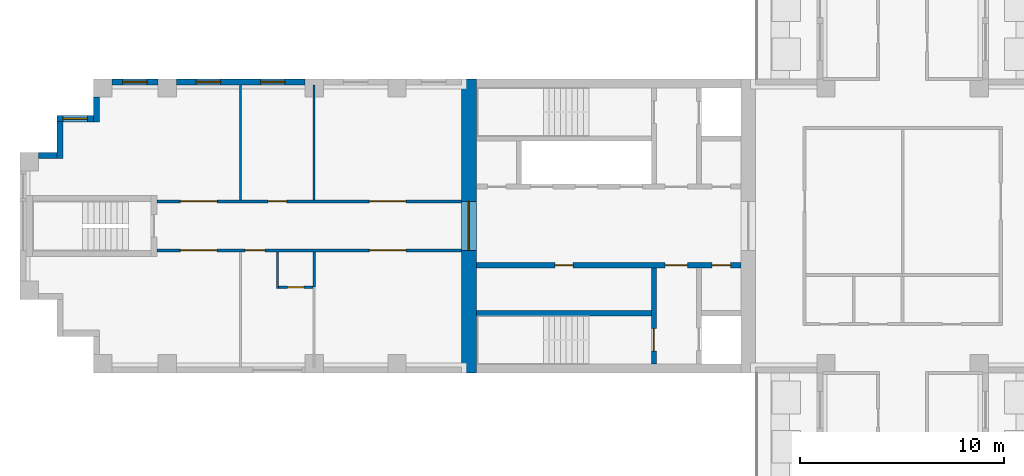
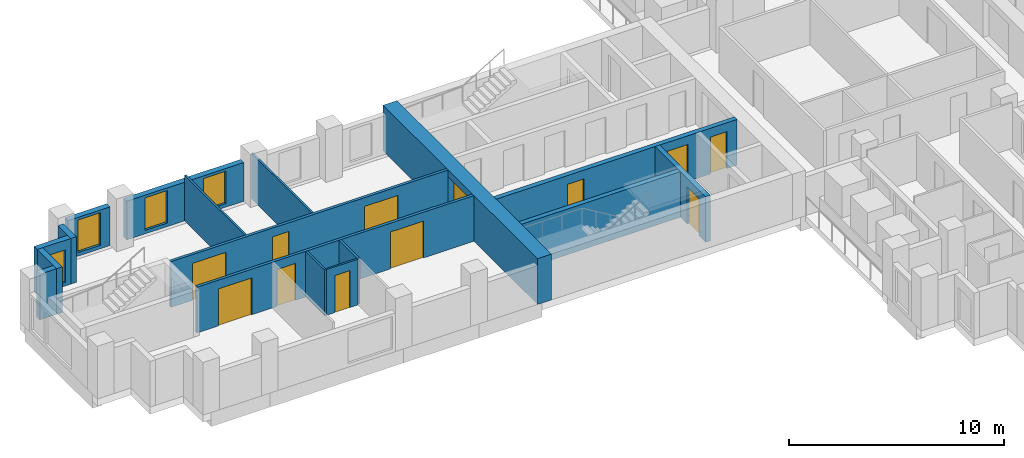
# One storey, part 3 of 12: 17 walls, 12 doors, 4 windows, 16 openings.
"""IFC4 building model written with IfcOpenShell, lengths in metres."""

from ifc_helpers import new_model, si_unit, direction, frame, frame_2d, origin, place, context, subcontext, project, spatial, rectangle, extrude, material, layer, layer_set, type_object, element, fill, save


model = new_model("IFC4")

# Units and contexts
model_context = context("Model", 3, precision=1e-05, world=origin(), true_north=direction((0.0, 1.0)))
body_context = subcontext(model_context, "Body", "Model", "MODEL_VIEW")
ifc_project = project(units=[si_unit("LENGTHUNIT", "METRE"), si_unit("AREAUNIT", "SQUARE_METRE"), si_unit("VOLUMEUNIT", "CUBIC_METRE"), si_unit("PLANEANGLEUNIT", "RADIAN"), si_unit("MASSUNIT", "GRAM", prefix="KILO")], contexts=[model_context])

# Site, building, storey
site_placement = place(None, origin())
site = spatial("IfcSite", under=ifc_project, at=site_placement, CompositionType="ELEMENT")
building_placement = place(site_placement, origin())
building = spatial("IfcBuilding", under=site, at=building_placement, Name="Fustian Cross Tower", CompositionType="ELEMENT")
storey_placement = place(building_placement, frame((0.0, 0.0, 156.300048828125)))
storey = spatial("IfcBuildingStorey", under=building, at=storey_placement, Name="L49", CompositionType="ELEMENT", Elevation=156.300048828125)

# Wall, openings, doors
ifc_material_1 = material(Name="Plasterboard on steel stud", Category="steel")
ifc_layer_1 = layer(ifc_material_1, 0.14990234375)
ifc_layer_set_1 = layer_set([ifc_layer_1], Name="Plasterboard on steel stud")
wall_type_1 = type_object("IfcWallType", Name="COMPARTMENT WALL 150 EI 60", PredefinedType="PARTITIONING", material=ifc_layer_set_1)
wall_1_placement = place(storey_placement, frame((-36.5, -1.199951171875, 0.0), z_axis=(0.0, 0.0, 1.0), x_axis=(1.0, 0.0, 0.0)))
wall_1 = element("IfcWall", 1, at=wall_1_placement, inside=storey, type_object=wall_type_1, Name="Partition 1", PredefinedType="PARTITIONING", context=body_context, shape_type="SweptSolid", body=[
    extrude(rectangle(XDim=14.89990234375, YDim=0.14990234375, at=frame_2d((7.449951171875, 0.0))), origin(), (0.0, 0.0, 1.0), 2.599853515625),
])
opening_1_placement = place(wall_1_placement, frame((10.39990234375, 0.0, 0.0)))
opening_1 = element("IfcOpeningElement", 2, at=opening_1_placement, cuts=wall_1, Name="Opening D22026", PredefinedType="OPENING", context=body_context, shape_type="SweptSolid", body=[
    extrude(rectangle(XDim=1.800048828125, YDim=2.10009765625, at=frame_2d((0.89990234375, 1.050048828125))), frame((0.0, 0.0849609375, 0.0), z_axis=(0.0, -1.0, 0.0), x_axis=(1.0, 0.0, 0.0)), (0.0, 0.0, 1.0), 0.169921875),
])
opening_2_placement = place(wall_1_placement, frame((4.300048828125, 0.0, 0.0)))
opening_2 = element("IfcOpeningElement", 3, at=opening_2_placement, cuts=wall_1, Name="Opening D22028", PredefinedType="OPENING", context=body_context, shape_type="SweptSolid", body=[
    extrude(rectangle(XDim=1.0, YDim=2.10009765625, at=frame_2d((0.5, 1.050048828125))), frame((0.0, 0.0849609375, 0.0), z_axis=(0.0, -1.0, 0.0), x_axis=(1.0, 0.0, 0.0)), (0.0, 0.0, 1.0), 0.169921875),
])
opening_3_placement = place(wall_1_placement, frame((1.14990234375, 0.0, 0.0)))
opening_3 = element("IfcOpeningElement", 4, at=opening_3_placement, cuts=wall_1, Name="Opening D22029", PredefinedType="OPENING", context=body_context, shape_type="SweptSolid", body=[
    extrude(rectangle(XDim=1.800048828125, YDim=2.10009765625, at=frame_2d((0.89990234375, 1.050048828125))), frame((0.0, 0.0849609375, 0.0), z_axis=(0.0, -1.0, 0.0), x_axis=(1.0, 0.0, 0.0)), (0.0, 0.0, 1.0), 0.169921875),
])
ifc_material_2 = material(Name="Timber fire door set", Category="wood")
door_type_1 = type_object("IfcDoorType", Name="FIRE DOUBLE DOOR 1800 FD30S", OperationType="DOUBLE_DOOR_DOUBLE_SWING", PredefinedType="DOOR", material=ifc_material_2)
door_1_placement = place(opening_1_placement, origin())
door_1 = element("IfcDoor", 5, at=door_1_placement, inside=storey, type_object=door_type_1, Name="Door D22026", OperationType="DOUBLE_DOOR_DOUBLE_SWING", OverallHeight=2.10009765625, OverallWidth=1.800048828125, PredefinedType="DOOR", context=body_context, shape_type="SweptSolid", body=[
    extrude(rectangle(XDim=1.800048828125, YDim=2.10009765625, at=frame_2d((0.89990234375, 1.050048828125))), frame((0.0, 0.02490234375, 0.0), z_axis=(0.0, -1.0, 0.0), x_axis=(1.0, 0.0, 0.0)), (0.0, 0.0, 1.0), 0.050048828125),
])
fill(opening_1, door_1)
door_2_placement = place(opening_3_placement, origin())
door_2 = element("IfcDoor", 6, at=door_2_placement, inside=storey, type_object=door_type_1, Name="Door D22029", OperationType="DOUBLE_DOOR_DOUBLE_SWING", OverallHeight=2.10009765625, OverallWidth=1.800048828125, PredefinedType="DOOR", context=body_context, shape_type="SweptSolid", body=[
    extrude(rectangle(XDim=1.800048828125, YDim=2.10009765625, at=frame_2d((0.89990234375, 1.050048828125))), frame((0.0, 0.02490234375, 0.0), z_axis=(0.0, -1.0, 0.0), x_axis=(1.0, 0.0, 0.0)), (0.0, 0.0, 1.0), 0.050048828125),
])
fill(opening_3, door_2)
ifc_material_3 = material(Name="Timber fire door set", Category="wood")
door_type_2 = type_object("IfcDoorType", Name="FIRE SWING DOOR 1000 FD30S", OperationType="SINGLE_SWING_LEFT", PredefinedType="DOOR", material=ifc_material_3)
door_3_placement = place(opening_2_placement, frame((1.0, 0.0, 0.0), z_axis=(0.0, 0.0, 1.0), x_axis=(-1.0, 0.0, 0.0)))
door_3 = element("IfcDoor", 7, at=door_3_placement, inside=storey, type_object=door_type_2, Name="Door D22028", OperationType="SINGLE_SWING_RIGHT", OverallHeight=2.10009765625, OverallWidth=1.0, PredefinedType="DOOR", context=body_context, shape_type="SweptSolid", body=[
    extrude(rectangle(XDim=1.0, YDim=2.10009765625, at=frame_2d((0.5, 1.050048828125))), frame((0.0, 0.02490234375, 0.0), z_axis=(0.0, -1.0, 0.0), x_axis=(1.0, 0.0, 0.0)), (0.0, 0.0, 1.0), 0.050048828125),
])
fill(opening_2, door_3)

wall_2_placement = place(storey_placement, frame((-36.5, 1.199951171875, 0.0), z_axis=(0.0, 0.0, 1.0), x_axis=(1.0, 0.0, 0.0)))
wall_2 = element("IfcWall", 8, at=wall_2_placement, inside=storey, type_object=wall_type_1, Name="Partition 2", PredefinedType="PARTITIONING", context=body_context, shape_type="SweptSolid", body=[
    extrude(rectangle(XDim=14.89990234375, YDim=0.14990234375, at=frame_2d((7.449951171875, 0.0))), origin(), (0.0, 0.0, 1.0), 2.599853515625),
])
opening_4_placement = place(wall_2_placement, frame((10.39990234375, 0.0, 0.0)))
opening_4 = element("IfcOpeningElement", 9, at=opening_4_placement, cuts=wall_2, Name="Opening D22030", PredefinedType="OPENING", context=body_context, shape_type="SweptSolid", body=[
    extrude(rectangle(XDim=1.800048828125, YDim=2.10009765625, at=frame_2d((0.89990234375, 1.050048828125))), frame((0.0, 0.0849609375, 0.0), z_axis=(0.0, -1.0, 0.0), x_axis=(1.0, 0.0, 0.0)), (0.0, 0.0, 1.0), 0.169921875),
])
opening_5_placement = place(wall_2_placement, frame((5.449951171875, 0.0, 0.0)))
opening_5 = element("IfcOpeningElement", 10, at=opening_5_placement, cuts=wall_2, Name="Opening D22031", PredefinedType="OPENING", context=body_context, shape_type="SweptSolid", body=[
    extrude(rectangle(XDim=0.89990234375, YDim=2.10009765625, at=frame_2d((0.449951171875, 1.050048828125))), frame((0.0, 0.0849609375, 0.0), z_axis=(0.0, -1.0, 0.0), x_axis=(1.0, 0.0, 0.0)), (0.0, 0.0, 1.0), 0.169921875),
])
opening_6_placement = place(wall_2_placement, frame((1.14990234375, 0.0, 0.0)))
opening_6 = element("IfcOpeningElement", 11, at=opening_6_placement, cuts=wall_2, Name="Opening D22032", PredefinedType="OPENING", context=body_context, shape_type="SweptSolid", body=[
    extrude(rectangle(XDim=1.800048828125, YDim=2.10009765625, at=frame_2d((0.89990234375, 1.050048828125))), frame((0.0, 0.0849609375, 0.0), z_axis=(0.0, -1.0, 0.0), x_axis=(1.0, 0.0, 0.0)), (0.0, 0.0, 1.0), 0.169921875),
])
door_4_placement = place(opening_4_placement, frame((1.800048828125, 0.0, 0.0), z_axis=(0.0, 0.0, 1.0), x_axis=(-1.0, 0.0, 0.0)))
door_4 = element("IfcDoor", 12, at=door_4_placement, inside=storey, type_object=door_type_1, Name="Door D22030", OperationType="DOUBLE_DOOR_DOUBLE_SWING", OverallHeight=2.10009765625, OverallWidth=1.800048828125, PredefinedType="DOOR", context=body_context, shape_type="SweptSolid", body=[
    extrude(rectangle(XDim=1.800048828125, YDim=2.10009765625, at=frame_2d((0.89990234375, 1.050048828125))), frame((0.0, 0.02490234375, 0.0), z_axis=(0.0, -1.0, 0.0), x_axis=(1.0, 0.0, 0.0)), (0.0, 0.0, 1.0), 0.050048828125),
])
fill(opening_4, door_4)
door_5_placement = place(opening_6_placement, frame((1.800048828125, 0.0, 0.0), z_axis=(0.0, 0.0, 1.0), x_axis=(-1.0, 0.0, 0.0)))
door_5 = element("IfcDoor", 13, at=door_5_placement, inside=storey, type_object=door_type_1, Name="Door D22032", OperationType="DOUBLE_DOOR_DOUBLE_SWING", OverallHeight=2.10009765625, OverallWidth=1.800048828125, PredefinedType="DOOR", context=body_context, shape_type="SweptSolid", body=[
    extrude(rectangle(XDim=1.800048828125, YDim=2.10009765625, at=frame_2d((0.89990234375, 1.050048828125))), frame((0.0, 0.02490234375, 0.0), z_axis=(0.0, -1.0, 0.0), x_axis=(1.0, 0.0, 0.0)), (0.0, 0.0, 1.0), 0.050048828125),
])
fill(opening_6, door_5)
ifc_material_4 = material(Name="Timber fire door set", Category="wood")
door_type_3 = type_object("IfcDoorType", Name="FIRE SWING DOOR 900 FD30S", OperationType="SINGLE_SWING_LEFT", PredefinedType="DOOR", material=ifc_material_4)
door_6_placement = place(opening_5_placement, origin())
door_6 = element("IfcDoor", 14, at=door_6_placement, inside=storey, type_object=door_type_3, Name="Door D22031", OperationType="SINGLE_SWING_LEFT", OverallHeight=2.10009765625, OverallWidth=0.89990234375, PredefinedType="DOOR", context=body_context, shape_type="SweptSolid", body=[
    extrude(rectangle(XDim=0.89990234375, YDim=2.10009765625, at=frame_2d((0.449951171875, 1.050048828125))), frame((0.0, 0.02490234375, 0.0), z_axis=(0.0, -1.0, 0.0), x_axis=(1.0, 0.0, 0.0)), (0.0, 0.0, 1.0), 0.050048828125),
])
fill(opening_5, door_6)

# Wall, opening, door
ifc_material_5 = material(Name="Concrete C60/75", Category="concrete")
ifc_layer_2 = layer(ifc_material_5, 0.75)
ifc_layer_set_2 = layer_set([ifc_layer_2], Name="Concrete C60/75")
wall_type_2 = type_object("IfcWallType", Name="CORE END WALL 750 C60/75", PredefinedType="SHEAR", material=ifc_layer_set_2)
wall_3_placement = place(storey_placement, frame((-21.22509765625, -7.199951171875, 0.0), z_axis=(0.0, 0.0, 1.0), x_axis=(0.0, 1.0, 0.0)))
wall_3 = element("IfcWall", 15, at=wall_3_placement, inside=storey, type_object=wall_type_2, Name="Core end wall", PredefinedType="SHEAR", context=body_context, shape_type="SweptSolid", body=[
    extrude(rectangle(XDim=14.39990234375, YDim=0.75, at=frame_2d((7.199951171875, 0.0))), origin(), (0.0, 0.0, 1.0), 2.599853515625),
])
opening_7_placement = place(wall_3_placement, frame((6.0, 0.0, 0.0)))
opening_7 = element("IfcOpeningElement", 16, at=opening_7_placement, cuts=wall_3, Name="Opening CD-17-28", PredefinedType="OPENING", context=body_context, shape_type="SweptSolid", body=[
    extrude(rectangle(XDim=2.39990234375, YDim=2.199951171875, at=frame_2d((1.199951171875, 1.10009765625))), frame((0.0, 0.385009765625, 0.0), z_axis=(0.0, -1.0, 0.0), x_axis=(1.0, 0.0, 0.0)), (0.0, 0.0, 1.0), 0.77001953125),
])
ifc_material_6 = material(Name="Steel", Category="steel")
door_type_4 = type_object("IfcDoorType", Name="FIRE DOOR FD30S DOUBLE 2400X2200", OperationType="DOUBLE_DOOR_DOUBLE_SWING", PredefinedType="DOOR", material=ifc_material_6)
door_7_placement = place(opening_7_placement, frame((2.39990234375, 0.0, 0.0), z_axis=(0.0, 0.0, 1.0), x_axis=(-1.0, 0.0, 0.0)))
door_7 = element("IfcDoor", 17, at=door_7_placement, inside=storey, type_object=door_type_4, Name="Core door CD-17-28", OperationType="DOUBLE_DOOR_DOUBLE_SWING", OverallHeight=2.199951171875, OverallWidth=2.39990234375, PredefinedType="DOOR", context=body_context, shape_type="SweptSolid", body=[
    extrude(rectangle(XDim=2.39990234375, YDim=2.199951171875, at=frame_2d((1.199951171875, 1.10009765625))), frame((0.0, 0.02490234375, 0.0), z_axis=(0.0, -1.0, 0.0), x_axis=(1.0, 0.0, 0.0)), (0.0, 0.0, 1.0), 0.050048828125),
])
fill(opening_7, door_7)

# Wall, openings, doors
ifc_material_7 = material(Name="Concrete C50/60", Category="concrete")
ifc_layer_3 = layer(ifc_material_7, 0.25)
ifc_layer_set_3 = layer_set([ifc_layer_3], Name="Concrete C50/60")
wall_type_3 = type_object("IfcWallType", Name="CORE LOBBY WALL 250 C50/60", PredefinedType="SHEAR", material=ifc_layer_set_3)
wall_4_placement = place(storey_placement, frame((-7.89990234375, -1.925048828125, 0.0), z_axis=(0.0, 0.0, 1.0), x_axis=(-1.0, 0.0, 0.0)))
wall_4 = element("IfcWall", 18, at=wall_4_placement, inside=storey, type_object=wall_type_3, Name="Core lobby wall", PredefinedType="SHEAR", context=body_context, shape_type="SweptSolid", body=[
    extrude(rectangle(XDim=12.9501953125, YDim=0.25, at=frame_2d((6.47509765625, 0.0))), origin(), (0.0, 0.0, 1.0), 2.599853515625),
])
opening_8_placement = place(wall_4_placement, frame((0.52490234375, 0.0, 0.0)))
opening_8 = element("IfcOpeningElement", 19, at=opening_8_placement, cuts=wall_4, Name="Opening CD-17-24", PredefinedType="OPENING", context=body_context, shape_type="SweptSolid", body=[
    extrude(rectangle(XDim=0.89990234375, YDim=2.10009765625, at=frame_2d((0.449951171875, 1.050048828125))), frame((0.0, 0.135009765625, 0.0), z_axis=(0.0, -1.0, 0.0), x_axis=(1.0, 0.0, 0.0)), (0.0, 0.0, 1.0), 0.27001953125),
])
opening_9_placement = place(wall_4_placement, frame((2.625, 0.0, 0.0)))
opening_9 = element("IfcOpeningElement", 20, at=opening_9_placement, cuts=wall_4, Name="Opening CD-17-26", PredefinedType="OPENING", context=body_context, shape_type="SweptSolid", body=[
    extrude(rectangle(XDim=1.10009765625, YDim=2.10009765625, at=frame_2d((0.550048828125, 1.050048828125))), frame((0.0, 0.135009765625, 0.0), z_axis=(0.0, -1.0, 0.0), x_axis=(1.0, 0.0, 0.0)), (0.0, 0.0, 1.0), 0.27001953125),
])
opening_10_placement = place(wall_4_placement, frame((8.22509765625, 0.0, 0.0)))
opening_10 = element("IfcOpeningElement", 21, at=opening_10_placement, cuts=wall_4, Name="Opening CD-17-30", PredefinedType="OPENING", context=body_context, shape_type="SweptSolid", body=[
    extrude(rectangle(XDim=0.89990234375, YDim=2.10009765625, at=frame_2d((0.449951171875, 1.050048828125))), frame((0.0, 0.135009765625, 0.0), z_axis=(0.0, -1.0, 0.0), x_axis=(1.0, 0.0, 0.0)), (0.0, 0.0, 1.0), 0.27001953125),
])
ifc_material_8 = material(Name="Steel", Category="steel")
door_type_5 = type_object("IfcDoorType", Name="FIRE DOOR FD30S 1100X2100", OperationType="SINGLE_SWING_LEFT", PredefinedType="DOOR", material=ifc_material_8)
door_8_placement = place(opening_9_placement, frame((1.10009765625, 0.0, 0.0), z_axis=(0.0, 0.0, 1.0), x_axis=(-1.0, 0.0, 0.0)))
door_8 = element("IfcDoor", 22, at=door_8_placement, inside=storey, type_object=door_type_5, Name="Core door CD-17-26", OperationType="SINGLE_SWING_RIGHT", OverallHeight=2.10009765625, OverallWidth=1.10009765625, PredefinedType="DOOR", context=body_context, shape_type="SweptSolid", body=[
    extrude(rectangle(XDim=1.10009765625, YDim=2.10009765625, at=frame_2d((0.550048828125, 1.050048828125))), frame((0.0, 0.02490234375, 0.0), z_axis=(0.0, -1.0, 0.0), x_axis=(1.0, 0.0, 0.0)), (0.0, 0.0, 1.0), 0.050048828125),
])
fill(opening_9, door_8)
ifc_material_9 = material(Name="Steel", Category="steel")
door_type_6 = type_object("IfcDoorType", Name="FIRE DOOR FD30S 900X2100", OperationType="SINGLE_SWING_LEFT", PredefinedType="DOOR", material=ifc_material_9)
door_9_placement = place(opening_8_placement, origin())
door_9 = element("IfcDoor", 23, at=door_9_placement, inside=storey, type_object=door_type_6, Name="Core door CD-17-24", OperationType="SINGLE_SWING_LEFT", OverallHeight=2.10009765625, OverallWidth=0.89990234375, PredefinedType="DOOR", context=body_context, shape_type="SweptSolid", body=[
    extrude(rectangle(XDim=0.89990234375, YDim=2.10009765625, at=frame_2d((0.449951171875, 1.050048828125))), frame((0.0, 0.02490234375, 0.0), z_axis=(0.0, -1.0, 0.0), x_axis=(1.0, 0.0, 0.0)), (0.0, 0.0, 1.0), 0.050048828125),
])
fill(opening_8, door_9)
door_10_placement = place(opening_10_placement, origin())
door_10 = element("IfcDoor", 24, at=door_10_placement, inside=storey, type_object=door_type_6, Name="Core door CD-17-30", OperationType="SINGLE_SWING_RIGHT", OverallHeight=2.10009765625, OverallWidth=0.89990234375, PredefinedType="DOOR", context=body_context, shape_type="SweptSolid", body=[
    extrude(rectangle(XDim=0.89990234375, YDim=2.10009765625, at=frame_2d((0.449951171875, 1.050048828125))), frame((0.0, 0.02490234375, 0.0), z_axis=(0.0, -1.0, 0.0), x_axis=(1.0, 0.0, 0.0)), (0.0, 0.0, 1.0), 0.050048828125),
])
fill(opening_10, door_10)

# Wall
ifc_material_10 = material(Name="Concrete C50/60", Category="concrete")
ifc_layer_4 = layer(ifc_material_10, 0.25)
ifc_layer_set_4 = layer_set([ifc_layer_4], Name="Concrete C50/60")
wall_type_4 = type_object("IfcWallType", Name="CORE SHAFT WALL 250 C50/60", PredefinedType="SHEAR", material=ifc_layer_set_4)
wall_5_placement = place(storey_placement, frame((-12.300048828125, -4.27490234375, 0.0), z_axis=(0.0, 0.0, 1.0), x_axis=(-1.0, 0.0, 0.0)))
element("IfcWall", 25, at=wall_5_placement, inside=storey, type_object=wall_type_4, Name="Core shaft wall", PredefinedType="SHEAR", context=body_context, shape_type="SweptSolid", body=[
    extrude(rectangle(XDim=8.550048828125, YDim=0.25, at=frame_2d((4.27490234375, 0.0))), origin(), (0.0, 0.0, 1.0), 2.599853515625),
])

# Wall, opening, door
wall_6_placement = place(storey_placement, frame((-12.175048828125, -2.050048828125, 0.0), z_axis=(0.0, 0.0, 1.0), x_axis=(0.0, -1.0, 0.0)))
wall_6 = element("IfcWall", 26, at=wall_6_placement, inside=storey, type_object=wall_type_4, Name="Core shaft wall", PredefinedType="SHEAR", context=body_context, shape_type="SweptSolid", body=[
    extrude(rectangle(XDim=4.699951171875, YDim=0.25, at=frame_2d((2.35009765625, 0.0))), origin(), (0.0, 0.0, 1.0), 2.599853515625),
])
opening_11_placement = place(wall_6_placement, frame((2.97509765625, 0.0, 0.0)))
opening_11 = element("IfcOpeningElement", 27, at=opening_11_placement, cuts=wall_6, Name="Opening CD-17-22", PredefinedType="OPENING", context=body_context, shape_type="SweptSolid", body=[
    extrude(rectangle(XDim=1.10009765625, YDim=2.10009765625, at=frame_2d((0.550048828125, 1.050048828125))), frame((0.0, 0.135009765625, 0.0), z_axis=(0.0, -1.0, 0.0), x_axis=(1.0, 0.0, 0.0)), (0.0, 0.0, 1.0), 0.27001953125),
])
ifc_material_11 = material(Name="Steel", Category="steel")
door_type_7 = type_object("IfcDoorType", Name="FIRE DOOR FD60S 1100X2100", OperationType="SINGLE_SWING_LEFT", PredefinedType="DOOR", material=ifc_material_11)
door_11_placement = place(opening_11_placement, frame((1.10009765625, 0.0, 0.0), z_axis=(0.0, 0.0, 1.0), x_axis=(-1.0, 0.0, 0.0)))
door_11 = element("IfcDoor", 28, at=door_11_placement, inside=storey, type_object=door_type_7, Name="Core door CD-17-22", OperationType="SINGLE_SWING_RIGHT", OverallHeight=2.10009765625, OverallWidth=1.10009765625, PredefinedType="DOOR", context=body_context, shape_type="SweptSolid", body=[
    extrude(rectangle(XDim=1.10009765625, YDim=2.10009765625, at=frame_2d((0.550048828125, 1.050048828125))), frame((0.0, 0.02490234375, 0.0), z_axis=(0.0, -1.0, 0.0), x_axis=(1.0, 0.0, 0.0)), (0.0, 0.0, 1.0), 0.050048828125),
])
fill(opening_11, door_11)

# Walls
ifc_material_12 = material(Name="Plasterboard on steel stud", Category="steel")
ifc_layer_5 = layer(ifc_material_12, 0.10009765625)
ifc_layer_set_5 = layer_set([ifc_layer_5], Name="Plasterboard on steel stud")
wall_type_5 = type_object("IfcWallType", Name="PARTITION 100 STUD", PredefinedType="PARTITIONING", material=ifc_layer_set_5)
wall_7_placement = place(storey_placement, frame((-32.39990234375, 1.27490234375, 0.0), z_axis=(0.0, 0.0, 1.0), x_axis=(0.0, 1.0, 0.0)))
element("IfcWall", 29, at=wall_7_placement, inside=storey, type_object=wall_type_5, Name="Partition 4", PredefinedType="PARTITIONING", context=body_context, shape_type="SweptSolid", body=[
    extrude(rectangle(XDim=5.625, YDim=0.10009765625, at=frame_2d((2.8125, 0.0))), origin(), (0.0, 0.0, 1.0), 2.599853515625),
])
wall_8_placement = place(storey_placement, frame((-30.60009765625, -3.050048828125, 0.0), z_axis=(0.0, 0.0, 1.0), x_axis=(0.0, 1.0, 0.0)))
element("IfcWall", 30, at=wall_8_placement, inside=storey, type_object=wall_type_5, Name="Partition 5", PredefinedType="PARTITIONING", context=body_context, shape_type="SweptSolid", body=[
    extrude(rectangle(XDim=1.775146484375, YDim=0.10009765625, at=frame_2d((0.8876953125, 0.0))), origin(), (0.0, 0.0, 1.0), 2.599853515625),
])

# Wall, opening, door
wall_9_placement = place(storey_placement, frame((-30.550048828125, -3.0, 0.0), z_axis=(0.0, 0.0, 1.0), x_axis=(1.0, 0.0, 0.0)))
wall_9 = element("IfcWall", 31, at=wall_9_placement, inside=storey, type_object=wall_type_5, Name="Partition 6", PredefinedType="PARTITIONING", context=body_context, shape_type="SweptSolid", body=[
    extrude(rectangle(XDim=1.6875, YDim=0.10009765625, at=frame_2d((0.84375, 0.0))), origin(), (0.0, 0.0, 1.0), 2.599853515625),
])
opening_12_placement = place(wall_9_placement, frame((0.449951171875, 0.0, 0.0)))
opening_12 = element("IfcOpeningElement", 32, at=opening_12_placement, cuts=wall_9, Name="Opening D22027", PredefinedType="OPENING", context=body_context, shape_type="SweptSolid", body=[
    extrude(rectangle(XDim=0.800048828125, YDim=2.10009765625, at=frame_2d((0.39990234375, 1.050048828125))), frame((0.0, 0.06005859375, 0.0), z_axis=(0.0, -1.0, 0.0), x_axis=(1.0, 0.0, 0.0)), (0.0, 0.0, 1.0), 0.1201171875),
])
ifc_material_13 = material(Name="Painted timber", Category="wood")
door_type_8 = type_object("IfcDoorType", Name="SWING DOOR 800", OperationType="SINGLE_SWING_LEFT", PredefinedType="DOOR", material=ifc_material_13)
door_12_placement = place(opening_12_placement, origin())
door_12 = element("IfcDoor", 33, at=door_12_placement, inside=storey, type_object=door_type_8, Name="Door D22027", OperationType="SINGLE_SWING_RIGHT", OverallHeight=2.10009765625, OverallWidth=0.800048828125, PredefinedType="DOOR", context=body_context, shape_type="SweptSolid", body=[
    extrude(rectangle(XDim=0.800048828125, YDim=2.10009765625, at=frame_2d((0.39990234375, 1.050048828125))), frame((0.0, 0.02490234375, 0.0), z_axis=(0.0, -1.0, 0.0), x_axis=(1.0, 0.0, 0.0)), (0.0, 0.0, 1.0), 0.050048828125),
])
fill(opening_12, door_12)

# Walls
wall_10_placement = place(storey_placement, frame((-28.800048828125, 1.27490234375, 0.0), z_axis=(0.0, 0.0, 1.0), x_axis=(0.0, 1.0, 0.0)))
element("IfcWall", 34, at=wall_10_placement, inside=storey, type_object=wall_type_5, Name="Partition 9", PredefinedType="PARTITIONING", context=body_context, shape_type="SweptSolid", body=[
    extrude(rectangle(XDim=5.625, YDim=0.10009765625, at=frame_2d((2.8125, 0.0))), origin(), (0.0, 0.0, 1.0), 2.599853515625),
])
ifc_material_14 = material(Name="Plasterboard on steel stud", Category="steel")
ifc_layer_6 = layer(ifc_material_14, 0.125)
ifc_layer_set_6 = layer_set([ifc_layer_6], Name="Plasterboard on steel stud")
wall_type_6 = type_object("IfcWallType", Name="WET WALL 125 STUD", PredefinedType="PARTITIONING", material=ifc_layer_set_6)
wall_11_placement = place(storey_placement, frame((-28.800048828125, -3.0, 0.0), z_axis=(0.0, 0.0, 1.0), x_axis=(0.0, 1.0, 0.0)))
element("IfcWall", 35, at=wall_11_placement, inside=storey, type_object=wall_type_6, Name="Partition 8", PredefinedType="PARTITIONING", context=body_context, shape_type="SweptSolid", body=[
    extrude(rectangle(XDim=1.72509765625, YDim=0.125, at=frame_2d((0.862548828125, 0.0))), origin(), (0.0, 0.0, 1.0), 2.599853515625),
])

# Wall, openings, windows
ifc_material_15 = material(Name="Dark aluminium cladding on insulated backing wall", Category="aluminium")
ifc_layer_7 = layer(ifc_material_15, 0.300048828125)
ifc_layer_set_7 = layer_set([ifc_layer_7], Name="Dark aluminium cladding on insulated backing wall")
wall_type_7 = type_object("IfcWallType", Name="XW1 EXTERNAL WALL 300", PredefinedType="SOLIDWALL", material=ifc_layer_set_7)
wall_12_placement = place(storey_placement, frame((-29.25, 7.050048828125, 0.0), z_axis=(0.0, 0.0, 1.0), x_axis=(-1.0, 0.0, 0.0)))
wall_12 = element("IfcWall", 36, at=wall_12_placement, inside=storey, type_object=wall_type_7, Name="External wall", PredefinedType="SOLIDWALL", context=body_context, shape_type="SweptSolid", body=[
    extrude(rectangle(XDim=6.300048828125, YDim=0.300048828125, at=frame_2d((3.14990234375, 0.0))), origin(), (0.0, 0.0, 1.0), 2.199951171875),
])
opening_13_placement = place(wall_12_placement, frame((0.97509765625, 0.0, 0.199951171875)))
opening_13 = element("IfcOpeningElement", 37, at=opening_13_placement, cuts=wall_12, Name="Opening WN3", PredefinedType="OPENING", context=body_context, shape_type="SweptSolid", body=[
    extrude(rectangle(XDim=1.199951171875, YDim=1.85009765625, at=frame_2d((0.60009765625, 0.925048828125))), frame((0.0, 0.159912109375, 0.0), z_axis=(0.0, -1.0, 0.0), x_axis=(1.0, 0.0, 0.0)), (0.0, 0.0, 1.0), 0.320068359375),
])
opening_14_placement = place(wall_12_placement, frame((4.125, 0.0, 0.199951171875)))
opening_14 = element("IfcOpeningElement", 38, at=opening_14_placement, cuts=wall_12, Name="Opening WN3", PredefinedType="OPENING", context=body_context, shape_type="SweptSolid", body=[
    extrude(rectangle(XDim=1.199951171875, YDim=1.85009765625, at=frame_2d((0.60009765625, 0.925048828125))), frame((0.0, 0.159912109375, 0.0), z_axis=(0.0, -1.0, 0.0), x_axis=(1.0, 0.0, 0.0)), (0.0, 0.0, 1.0), 0.320068359375),
])
ifc_material_16 = material(Name="Dark anodised aluminium and double glazing", Category="aluminium")
window_type = type_object("IfcWindowType", Name="WN3 WINDOW 1200X1850", PartitioningType="SINGLE_PANEL", PredefinedType="WINDOW", material=ifc_material_16)
window_1_placement = place(opening_13_placement, origin())
window_1 = element("IfcWindow", 39, at=window_1_placement, inside=storey, type_object=window_type, Name="Window", OverallHeight=1.85009765625, OverallWidth=1.199951171875, PartitioningType="SINGLE_PANEL", PredefinedType="WINDOW", context=body_context, shape_type="SweptSolid", body=[
    extrude(rectangle(XDim=1.199951171875, YDim=1.85009765625, at=frame_2d((0.60009765625, 0.925048828125))), frame((0.0, 0.030029296875, 0.0), z_axis=(0.0, -1.0, 0.0), x_axis=(1.0, 0.0, 0.0)), (0.0, 0.0, 1.0), 0.06005859375),
])
fill(opening_13, window_1)
window_2_placement = place(opening_14_placement, origin())
window_2 = element("IfcWindow", 40, at=window_2_placement, inside=storey, type_object=window_type, Name="Window", OverallHeight=1.85009765625, OverallWidth=1.199951171875, PartitioningType="SINGLE_PANEL", PredefinedType="WINDOW", context=body_context, shape_type="SweptSolid", body=[
    extrude(rectangle(XDim=1.199951171875, YDim=1.85009765625, at=frame_2d((0.60009765625, 0.925048828125))), frame((0.0, 0.030029296875, 0.0), z_axis=(0.0, -1.0, 0.0), x_axis=(1.0, 0.0, 0.0)), (0.0, 0.0, 1.0), 0.06005859375),
])
fill(opening_14, window_2)

# Wall, opening, window
wall_13_placement = place(storey_placement, frame((-36.449951171875, 7.050048828125, 0.0), z_axis=(0.0, 0.0, 1.0), x_axis=(-1.0, 0.0, 0.0)))
wall_13 = element("IfcWall", 41, at=wall_13_placement, inside=storey, type_object=wall_type_7, Name="External wall", PredefinedType="SOLIDWALL", context=body_context, shape_type="SweptSolid", body=[
    extrude(rectangle(XDim=2.25, YDim=0.300048828125, at=frame_2d((1.125, 0.0))), origin(), (0.0, 0.0, 1.0), 2.199951171875),
])
opening_15_placement = place(wall_13_placement, frame((0.52490234375, 0.0, 0.199951171875)))
opening_15 = element("IfcOpeningElement", 42, at=opening_15_placement, cuts=wall_13, Name="Opening WN3", PredefinedType="OPENING", context=body_context, shape_type="SweptSolid", body=[
    extrude(rectangle(XDim=1.199951171875, YDim=1.85009765625, at=frame_2d((0.60009765625, 0.925048828125))), frame((0.0, 0.159912109375, 0.0), z_axis=(0.0, -1.0, 0.0), x_axis=(1.0, 0.0, 0.0)), (0.0, 0.0, 1.0), 0.320068359375),
])
window_3_placement = place(opening_15_placement, origin())
window_3 = element("IfcWindow", 43, at=window_3_placement, inside=storey, type_object=window_type, Name="Window", OverallHeight=1.85009765625, OverallWidth=1.199951171875, PartitioningType="SINGLE_PANEL", PredefinedType="WINDOW", context=body_context, shape_type="SweptSolid", body=[
    extrude(rectangle(XDim=1.199951171875, YDim=1.85009765625, at=frame_2d((0.60009765625, 0.925048828125))), frame((0.0, 0.030029296875, 0.0), z_axis=(0.0, -1.0, 0.0), x_axis=(1.0, 0.0, 0.0)), (0.0, 0.0, 1.0), 0.06005859375),
])
fill(opening_15, window_3)

# Wall
wall_14_placement = place(storey_placement, frame((-39.449951171875, 6.300048828125, 0.0), z_axis=(0.0, 0.0, 1.0), x_axis=(0.0, -1.0, 0.0)))
element("IfcWall", 44, at=wall_14_placement, inside=storey, type_object=wall_type_7, Name="External wall", PredefinedType="SOLIDWALL", context=body_context, shape_type="SweptSolid", body=[
    extrude(rectangle(XDim=1.199951171875, YDim=0.300048828125, at=frame_2d((0.60009765625, 0.0))), origin(), (0.0, 0.0, 1.0), 2.599853515625),
])

# Wall, opening, window
wall_15_placement = place(storey_placement, frame((-39.60009765625, 5.25, 0.0), z_axis=(0.0, 0.0, 1.0), x_axis=(-1.0, 0.0, 0.0)))
wall_15 = element("IfcWall", 45, at=wall_15_placement, inside=storey, type_object=wall_type_7, Name="External wall", PredefinedType="SOLIDWALL", context=body_context, shape_type="SweptSolid", body=[
    extrude(rectangle(XDim=1.7998046875, YDim=0.300048828125, at=frame_2d((0.89990234375, 0.0))), origin(), (0.0, 0.0, 1.0), 2.599853515625),
])
opening_16_placement = place(wall_15_placement, frame((0.300048828125, 0.0, 0.199951171875)))
opening_16 = element("IfcOpeningElement", 46, at=opening_16_placement, cuts=wall_15, Name="Opening WN3", PredefinedType="OPENING", context=body_context, shape_type="SweptSolid", body=[
    extrude(rectangle(XDim=1.199951171875, YDim=1.85009765625, at=frame_2d((0.60009765625, 0.925048828125))), frame((0.0, 0.159912109375, 0.0), z_axis=(0.0, -1.0, 0.0), x_axis=(1.0, 0.0, 0.0)), (0.0, 0.0, 1.0), 0.320068359375),
])
window_4_placement = place(opening_16_placement, origin())
window_4 = element("IfcWindow", 47, at=window_4_placement, inside=storey, type_object=window_type, Name="Window", OverallHeight=1.85009765625, OverallWidth=1.199951171875, PartitioningType="SINGLE_PANEL", PredefinedType="WINDOW", context=body_context, shape_type="SweptSolid", body=[
    extrude(rectangle(XDim=1.199951171875, YDim=1.85009765625, at=frame_2d((0.60009765625, 0.925048828125))), frame((0.0, 0.030029296875, 0.0), z_axis=(0.0, -1.0, 0.0), x_axis=(1.0, 0.0, 0.0)), (0.0, 0.0, 1.0), 0.06005859375),
])
fill(opening_16, window_4)

# Walls
wall_16_placement = place(storey_placement, frame((-41.25, 5.10009765625, 0.0), z_axis=(0.0, 0.0, 1.0), x_axis=(0.0, -1.0, 0.0)))
element("IfcWall", 48, at=wall_16_placement, inside=storey, type_object=wall_type_7, Name="External wall", PredefinedType="SOLIDWALL", context=body_context, shape_type="SweptSolid", body=[
    extrude(rectangle(XDim=1.800048828125, YDim=0.300048828125, at=frame_2d((0.89990234375, 0.0))), origin(), (0.0, 0.0, 1.0), 2.599853515625),
])
wall_17_placement = place(storey_placement, frame((-41.39990234375, 3.449951171875, 0.0), z_axis=(0.0, 0.0, 1.0), x_axis=(-1.0, 0.0, 0.0)))
element("IfcWall", 49, at=wall_17_placement, inside=storey, type_object=wall_type_7, Name="External wall", PredefinedType="SOLIDWALL", context=body_context, shape_type="SweptSolid", body=[
    extrude(rectangle(XDim=0.900146484375, YDim=0.300048828125, at=frame_2d((0.4501953125, 0.0))), origin(), (0.0, 0.0, 1.0), 2.599853515625),
])

save(model, "model.ifc")
